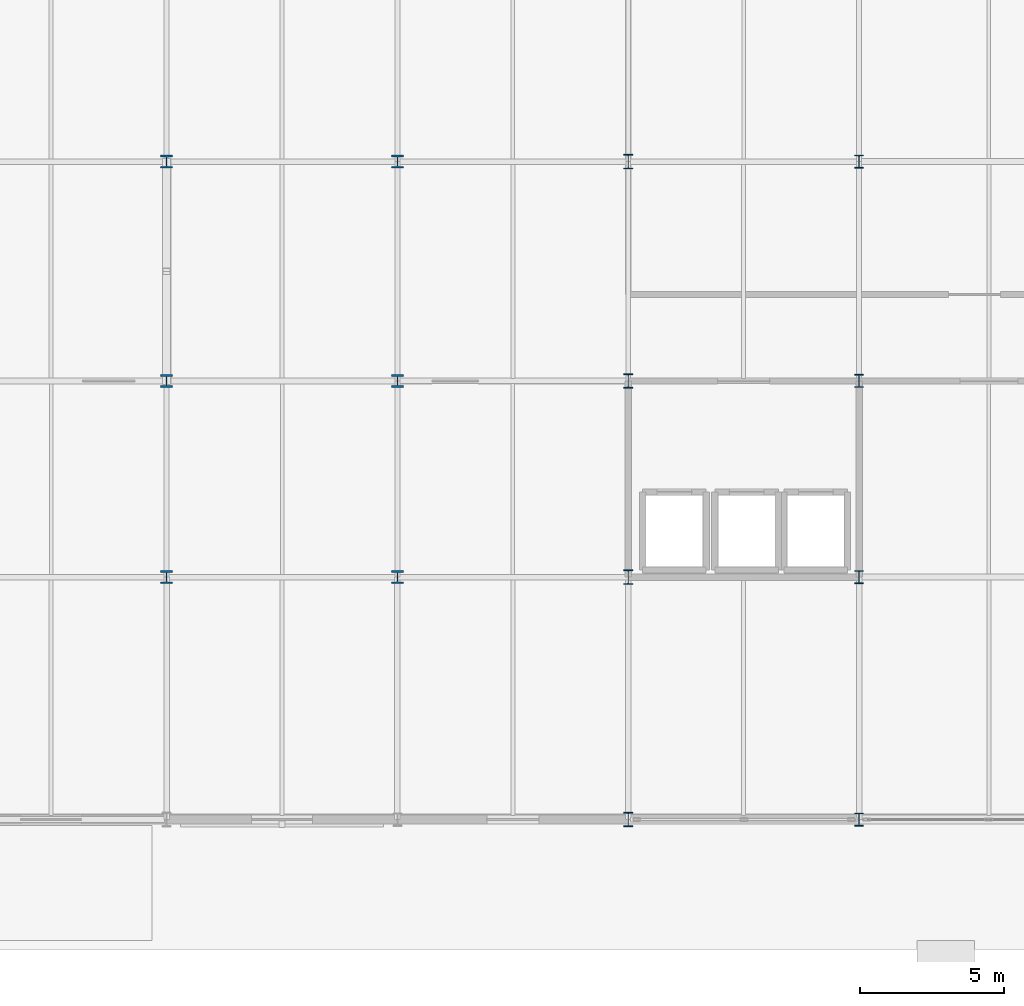
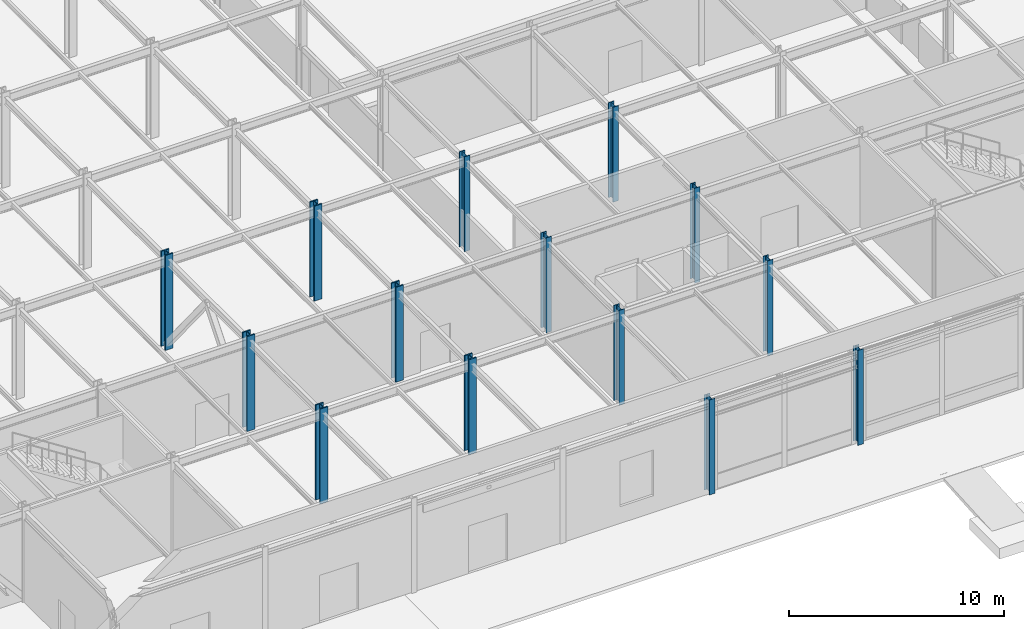
# One storey, part 6 of 89: 14 columns.
"""IFC4 building model written with IfcOpenShell, lengths in metres."""

import ifcopenshell
import ifcopenshell.guid

model = None  # the IFC model being written
_history = None  # IfcOwnerHistory: only IFC2X3 demands one
_inside = {}  # id of a spatial element -> (the spatial element, [elements in it])
_under = {}  # id of a project, library or spatial element -> (it, [spatial elements below it])
_declared = {}  # id of a project -> (the project, [libraries it declares])
_typed = {}  # id of a type object -> (the type object, [elements of that type])
_made_of = {}  # id of a material, layer set ... -> (it, [elements and type objects made of it])


def new_model(schema):
    """Start an empty IFC model of exactly this schema.

    Asked for "IFC4X3", IfcOpenShell would pick the latest addendum, in which some entities
    have other attributes; the version numbers below select the first issue.
    IFC2X3 requires an IfcOwnerHistory on every rooted entity: one is made here for all.
    """
    global model, _history
    if schema == "IFC4X3":
        model = ifcopenshell.file(schema_version=(4, 3, 0, 0))
    else:
        model = ifcopenshell.file(schema=schema)
    _inside.clear()
    _under.clear()
    _declared.clear()
    _typed.clear()
    _made_of.clear()
    _history = None
    if model.schema == "IFC2X3":
        org = make("IfcOrganization", Name="unknown")
        user = make(
            "IfcPersonAndOrganization",
            ThePerson=make("IfcPerson", FamilyName="unknown"),
            TheOrganization=org,
        )
        app = make(
            "IfcApplication",
            ApplicationDeveloper=org,
            Version="unknown",
            ApplicationFullName="unknown",
            ApplicationIdentifier="unknown",
        )
        _history = make(
            "IfcOwnerHistory",
            OwningUser=user,
            OwningApplication=app,
            ChangeAction="ADDED",
            CreationDate=0,
        )
    return model


def make(cls, **values):
    """One entity of the class cls with the attributes given. An attribute that is None is left unset."""
    return model.create_entity(
        cls, **{name: value for name, value in values.items() if value is not None}
    )


def rooted(cls, **values):
    """An entity with a GlobalId (a new one), such as an element, a storey or a relation."""
    return make(cls, GlobalId=ifcopenshell.guid.new(), OwnerHistory=_history, **values)


def si_unit(unit_type, name, prefix=None):
    """IfcSIUnit, for example si_unit("LENGTHUNIT", "METRE", prefix="MILLI")."""
    return make("IfcSIUnit", UnitType=unit_type, Prefix=prefix, Name=name)


def assignment(units):
    """IfcUnitAssignment: the units of a project."""
    return None if units is None else make("IfcUnitAssignment", Units=units)


def point(xyz):
    """IfcCartesianPoint."""
    return None if xyz is None else make("IfcCartesianPoint", Coordinates=xyz)


def direction(xyz):
    """IfcDirection."""
    return None if xyz is None else make("IfcDirection", DirectionRatios=xyz)


def frame(location, z_axis=None, x_axis=None):
    """IfcAxis2Placement3D, a coordinate frame: its origin and axes. An axis left out is left unset."""
    return make(
        "IfcAxis2Placement3D",
        Location=point(location),
        Axis=direction(z_axis),
        RefDirection=direction(x_axis),
    )


def frame_2d(location, x_axis=None):
    """IfcAxis2Placement2D, a coordinate frame in the plane: its origin and x axis."""
    return make(
        "IfcAxis2Placement2D", Location=point(location), RefDirection=direction(x_axis)
    )


def origin():
    """The frame at (0, 0, 0) with its axes left unset."""
    return frame((0.0, 0.0, 0.0))


def origin_2d():
    """The frame at (0, 0) in the plane with its x axis left unset."""
    return frame_2d((0.0, 0.0))


def place(relative_to, where):
    """IfcLocalPlacement: puts the frame where relative to a parent placement (None: the world)."""
    return make(
        "IfcLocalPlacement", PlacementRelTo=relative_to, RelativePlacement=where
    )


def context(
    kind, dimensions, precision=None, world=None, true_north=None, identifier=None
):
    """IfcGeometricRepresentationContext, for example the 3D "Model" context."""
    return make(
        "IfcGeometricRepresentationContext",
        ContextIdentifier=identifier,
        ContextType=kind,
        CoordinateSpaceDimension=dimensions,
        Precision=precision,
        WorldCoordinateSystem=world,
        TrueNorth=true_north,
    )


def subcontext(parent, identifier, kind, view, scale=None):
    """IfcGeometricRepresentationSubContext, for example "Body" below "Model"."""
    return make(
        "IfcGeometricRepresentationSubContext",
        ContextIdentifier=identifier,
        ContextType=kind,
        ParentContext=parent,
        TargetScale=scale,
        TargetView=view,
    )


def project(units=None, contexts=None):
    """IfcProject with its units and contexts."""
    return rooted(
        "IfcProject",
        Name="project",
        RepresentationContexts=contexts,
        UnitsInContext=assignment(units),
    )


def spatial(cls, under=None, at=None, **own):
    """A site, building, storey or space (cls), placed at a placement, below another one or the project."""
    s = rooted(cls, ObjectPlacement=at, **own)
    if under is not None:
        _under.setdefault(under.id(), (under, []))[1].append(s)
    return s


def profile(cls, at=None, kind="AREA", **sizes):
    """A parametric profile (cls). Its sizes go by their IFC names, for example OverallWidth=200.0."""
    return make(cls, ProfileType=kind, Position=at, **sizes)


def i_section(**sizes):
    """IfcIShapeProfileDef."""
    return profile("IfcIShapeProfileDef", **sizes)


def extrude(swept, where, along, depth):
    """IfcExtrudedAreaSolid: the profile swept, set in the frame where, extruded along a direction by depth."""
    return make(
        "IfcExtrudedAreaSolid",
        SweptArea=swept,
        Position=where,
        ExtrudedDirection=direction(along),
        Depth=depth,
    )


def shape(context_of_items, identifier, shape_type, items):
    """IfcShapeRepresentation: the items that make up one representation, for example the "Body"."""
    return make(
        "IfcShapeRepresentation",
        ContextOfItems=context_of_items,
        RepresentationIdentifier=identifier,
        RepresentationType=shape_type,
        Items=items,
    )


def material(Name=None, Category=None):
    """IfcMaterial."""
    return make("IfcMaterial", Name=Name, Category=Category)


def material_profile(
    of_material, cross_section, Name=None, Category=None, Priority=None
):
    """IfcMaterialProfile: a cross section and its material."""
    return make(
        "IfcMaterialProfile",
        Name=Name,
        Material=of_material,
        Profile=cross_section,
        Priority=Priority,
        Category=Category,
    )


def profile_set(profiles, Name=None, composite=None):
    """IfcMaterialProfileSet."""
    return make(
        "IfcMaterialProfileSet",
        Name=Name,
        MaterialProfiles=profiles,
        CompositeProfile=composite,
    )


def made_of(thing, what):
    """Note that an element or type object is made of a material, layer set ...; save() writes the relation."""
    if what is not None:
        _made_of.setdefault(what.id(), (what, []))[1].append(thing)
    return thing


def type_object(cls, material=None, **own):
    """A type object (cls), such as IfcWallType, which elements share."""
    return made_of(rooted(cls, **own), material)


def element(
    cls,
    number,
    at=None,
    inside=None,
    cuts=None,
    type_object=None,
    material=None,
    context=None,
    identifier="Body",
    shape_type=None,
    held_by="IfcProductDefinitionShape",
    body=None,
    shapes=None,
    **own,
):
    """One element of the class cls, such as IfcWall. Its Tag is "e" and its number.

    at: its placement. inside: the storey or other place that contains it. cuts: it is an
    opening in that element (IfcRelVoidsElement). A single representation is given by context,
    identifier, shape_type and body (its items); several are given by shapes. held_by: the class
    of the entity that holds the representations. save() writes the other relations.
    """
    e = rooted(cls, Tag="e%d" % number, ObjectPlacement=at, **own)
    if body is not None:
        shapes = [shape(context, identifier, shape_type, body)]
    if shapes is not None:
        e.Representation = make(held_by, Representations=shapes)
    if inside is not None:
        _inside.setdefault(inside.id(), (inside, []))[1].append(e)
    if cuts is not None:
        rooted(
            "IfcRelVoidsElement", RelatingBuildingElement=cuts, RelatedOpeningElement=e
        )
    if type_object is not None:
        _typed.setdefault(type_object.id(), (type_object, []))[1].append(e)
    return made_of(e, material)


def aggregate(whole, parts):
    """IfcRelAggregates: a whole, such as a stair, and the parts it consists of."""
    return rooted("IfcRelAggregates", RelatingObject=whole, RelatedObjects=parts)


def save(model, path):
    """Write the relations noted so far, then the file.

    IfcRelAggregates (storeys below a building ...), IfcRelContainedInSpatialStructure (elements
    in a storey), IfcRelDefinesByType, IfcRelAssociatesMaterial and IfcRelDeclares: one each for
    every whole, place, type object, material and project.
    """
    for whole, parts in _under.values():
        aggregate(whole, parts)
    for where, things in _inside.values():
        rooted(
            "IfcRelContainedInSpatialStructure",
            RelatedElements=things,
            RelatingStructure=where,
        )
    for kind, things in _typed.values():
        rooted("IfcRelDefinesByType", RelatedObjects=things, RelatingType=kind)
    for what, things in _made_of.values():
        rooted("IfcRelAssociatesMaterial", RelatedObjects=things, RelatingMaterial=what)
    for by, libraries in _declared.values():
        rooted("IfcRelDeclares", RelatingContext=by, RelatedDefinitions=libraries)
    model.write(path)


model = new_model("IFC4")

# Units and contexts
model_context = context("Model", 3, precision=1e-05, world=origin(), true_north=direction((0.0, 1.0)))
body_context = subcontext(model_context, "Body", "Model", "MODEL_VIEW")
ifc_project = project(units=[si_unit("LENGTHUNIT", "METRE"), si_unit("AREAUNIT", "SQUARE_METRE"), si_unit("VOLUMEUNIT", "CUBIC_METRE"), si_unit("PLANEANGLEUNIT", "RADIAN"), si_unit("MASSUNIT", "GRAM", prefix="KILO")], contexts=[model_context])

# Site, building, storey
site_placement = place(None, origin())
site = spatial("IfcSite", under=ifc_project, at=site_placement, CompositionType="ELEMENT")
building_placement = place(site_placement, origin())
building = spatial("IfcBuilding", under=site, at=building_placement, Name="Shalkamar Park Central Library", CompositionType="ELEMENT")
storey_placement = place(building_placement, origin())
storey = spatial("IfcBuildingStorey", under=building, at=storey_placement, Name="L01", CompositionType="ELEMENT", Elevation=0.0)

# Columns
ifc_material = material(Name="Steel S355", Category="steel")
ifc_material_profile_1 = material_profile(ifc_material, i_section(OverallWidth=0.41796875, OverallDepth=0.455078125, WebThickness=0.0419921875, FlangeThickness=0.067626953125, FilletRadius=0.014892578125, at=origin_2d()), Name="HD 400x551")
ifc_profile_set_1 = profile_set([ifc_material_profile_1], Name="Steel S355")
column_type_1 = type_object("IfcColumnType", Name="Column Steel HD400x551", PredefinedType="COLUMN", material=ifc_profile_set_1)
for number, where, z_axis, x_axis, name in (
    (1, (213.0, 248.39990234375, 0.0), (0.0, 0.0, 1.0), (1.0, 0.0, 0.0), "Column 13/B (L01)"),
    (2, (213.0, 255.199951171875, 0.0), (0.0, 0.0, 1.0), (1.0, 0.0, 0.0), "Column 13/C (L01)"),
    (3, (213.0, 262.800048828125, 0.0), (0.0, 0.0, 1.0), (1.0, 0.0, 0.0), "Column 13/D (L01)"),
    (4, (221.0, 248.39990234375, 0.0), (0.0, 0.0, 1.0), (1.0, 0.0, 0.0), "Column 14/B (L01)"),
    (5, (221.0, 255.199951171875, 0.0), (0.0, 0.0, 1.0), (1.0, 0.0, 0.0), "Column 14/C (L01)"),
    (6, (221.0, 262.800048828125, 0.0), (0.0, 0.0, 1.0), (1.0, 0.0, 0.0), "Column 14/D (L01)"),
):
    element("IfcColumn", number, at=place(storey_placement, frame(where, z_axis=z_axis, x_axis=x_axis)), inside=storey, type_object=column_type_1, Name=name, PredefinedType="COLUMN", context=body_context, shape_type="SweptSolid", body=[
        extrude(i_section(OverallWidth=0.41796875, OverallDepth=0.455078125, WebThickness=0.0419921875, FlangeThickness=0.067626953125, FilletRadius=0.014892578125, at=origin_2d()), origin(), (0.0, 0.0, 1.0), 5.39990234375),
    ])
ifc_material_profile_2 = material_profile(ifc_material, i_section(OverallWidth=0.300048828125, OverallDepth=0.449951171875, WebThickness=0.013916015625, FlangeThickness=0.02587890625, FilletRadius=0.027099609375, at=origin_2d()), Name="HEB 450")
ifc_profile_set_2 = profile_set([ifc_material_profile_2], Name="Steel S355")
column_type_2 = type_object("IfcColumnType", Name="Column Steel HEB450", PredefinedType="COLUMN", material=ifc_profile_set_2)
for number, where, z_axis, x_axis, name in (
    (7, (237.0, 240.0, 0.0), (0.0, 0.0, 1.0), (1.0, 0.0, 0.0), "Column 16/A (L01)"),
    (8, (237.0, 248.39990234375, 0.0), (0.0, 0.0, 1.0), (1.0, 0.0, 0.0), "Column 16/B (L01)"),
    (9, (237.0, 255.199951171875, 0.0), (0.0, 0.0, 1.0), (1.0, 0.0, 0.0), "Column 16/C (L01)"),
    (10, (237.0, 262.800048828125, 0.0), (0.0, 0.0, 1.0), (1.0, 0.0, 0.0), "Column 16/D (L01)"),
):
    element("IfcColumn", number, at=place(storey_placement, frame(where, z_axis=z_axis, x_axis=x_axis)), inside=storey, type_object=column_type_2, Name=name, PredefinedType="COLUMN", context=body_context, shape_type="SweptSolid", body=[
        extrude(i_section(OverallWidth=0.300048828125, OverallDepth=0.449951171875, WebThickness=0.013916015625, FlangeThickness=0.02587890625, FilletRadius=0.027099609375, at=origin_2d()), origin(), (0.0, 0.0, 1.0), 5.39990234375),
    ])
ifc_material_profile_3 = material_profile(ifc_material, i_section(OverallWidth=0.300048828125, OverallDepth=0.5, WebThickness=0.014404296875, FlangeThickness=0.028076171875, FilletRadius=0.027099609375, at=origin_2d()), Name="HEB 500")
ifc_profile_set_3 = profile_set([ifc_material_profile_3], Name="Steel S355")
column_type_3 = type_object("IfcColumnType", Name="Column Steel HEB500", PredefinedType="COLUMN", material=ifc_profile_set_3)
for number, where, z_axis, x_axis, name in (
    (11, (229.0, 240.0, 0.0), (0.0, 0.0, 1.0), (1.0, 0.0, 0.0), "Column 15/A (L01)"),
    (12, (229.0, 248.39990234375, 0.0), (0.0, 0.0, 1.0), (1.0, 0.0, 0.0), "Column 15/B (L01)"),
    (13, (229.0, 255.199951171875, 0.0), (0.0, 0.0, 1.0), (1.0, 0.0, 0.0), "Column 15/C (L01)"),
    (14, (229.0, 262.800048828125, 0.0), (0.0, 0.0, 1.0), (1.0, 0.0, 0.0), "Column 15/D (L01)"),
):
    element("IfcColumn", number, at=place(storey_placement, frame(where, z_axis=z_axis, x_axis=x_axis)), inside=storey, type_object=column_type_3, Name=name, PredefinedType="COLUMN", context=body_context, shape_type="SweptSolid", body=[
        extrude(i_section(OverallWidth=0.300048828125, OverallDepth=0.5, WebThickness=0.014404296875, FlangeThickness=0.028076171875, FilletRadius=0.027099609375, at=origin_2d()), origin(), (0.0, 0.0, 1.0), 5.39990234375),
    ])

save(model, "model.ifc")
